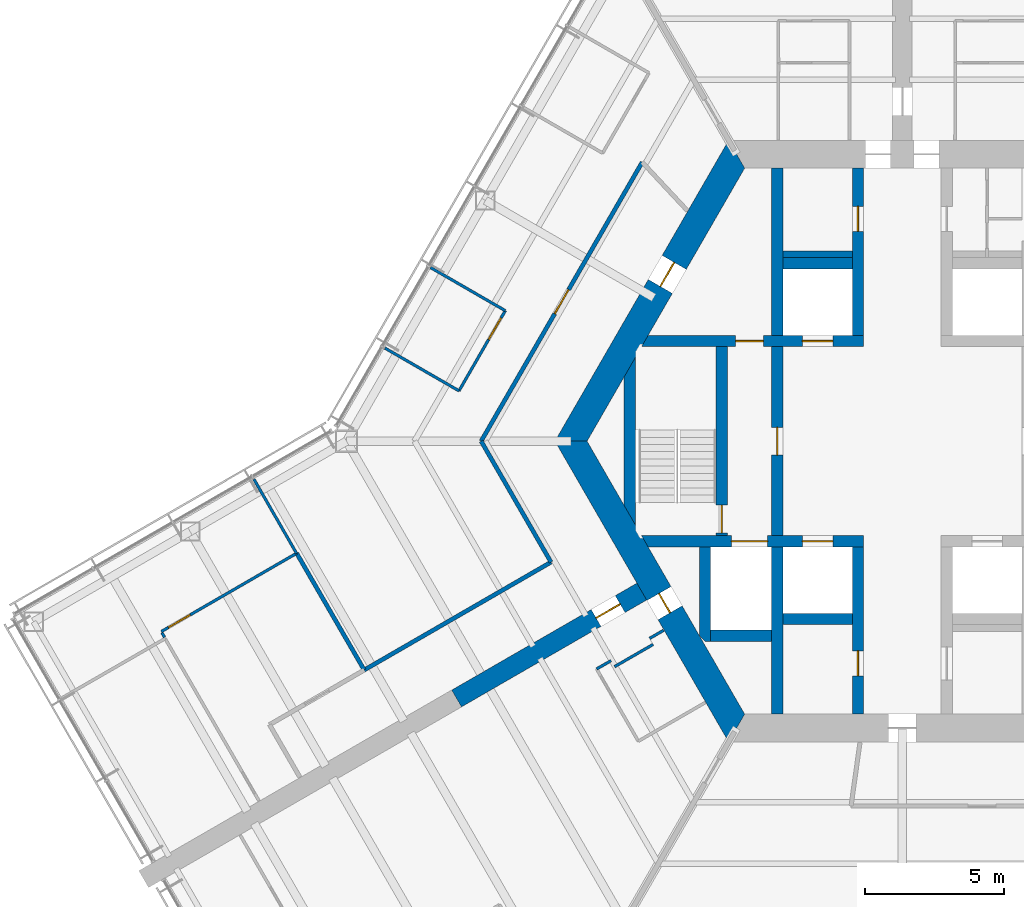
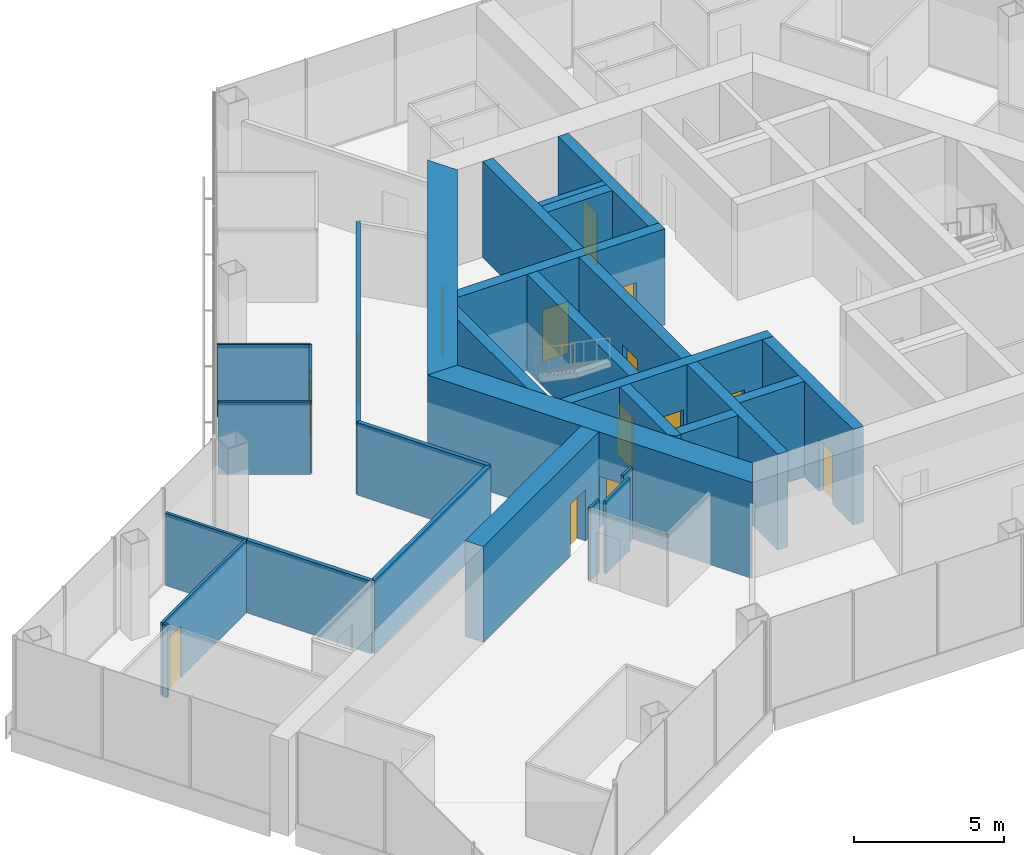
# One storey, part 12 of 18: 30 walls, 14 doors, 14 openings.
"""IFC4 building model written with IfcOpenShell, lengths in metres."""

from ifc_helpers import new_model, si_unit, direction, frame, frame_2d, origin, place, context, subcontext, project, spatial, polyline, rectangle, outline, extrude, material, layer, layer_set, type_object, element, fill, save


model = new_model("IFC4")

# Units and contexts
model_context = context("Model", 3, precision=1e-05, world=origin(), true_north=direction((0.0, 1.0)))
body_context = subcontext(model_context, "Body", "Model", "MODEL_VIEW")
ifc_project = project(units=[si_unit("LENGTHUNIT", "METRE"), si_unit("AREAUNIT", "SQUARE_METRE"), si_unit("VOLUMEUNIT", "CUBIC_METRE"), si_unit("PLANEANGLEUNIT", "RADIAN"), si_unit("MASSUNIT", "GRAM", prefix="KILO")], contexts=[model_context])

# Site, building, storey
site_placement = place(None, origin())
site = spatial("IfcSite", under=ifc_project, at=site_placement, CompositionType="ELEMENT")
building_placement = place(site_placement, origin())
building = spatial("IfcBuilding", under=site, at=building_placement, Name="Kasaneha Research Tower", CompositionType="ELEMENT")
storey_placement = place(building_placement, frame((0.0, 0.0, 144.800048828125)))
storey = spatial("IfcBuildingStorey", under=building, at=storey_placement, Name="L36", CompositionType="ELEMENT", Elevation=144.800048828125)

# Wall, openings, doors
ifc_material_1 = material(Name="Concrete Fc70", Category="concrete")
ifc_layer_1 = layer(ifc_material_1, 0.39990234375)
ifc_layer_set_1 = layer_set([ifc_layer_1], Name="Core internal wall 400 Fc70")
wall_type_1 = type_object("IfcWallType", Name="Core internal wall 400 Fc70", PredefinedType="SHEAR", material=ifc_layer_set_1)
wall_1_placement = place(storey_placement, frame((-9.266357421875, 3.60009765625, 0.0), z_axis=(0.0, 0.0, 1.0), x_axis=(1.0, 0.0, 0.0)))
wall_1 = element("IfcWall", 1, at=wall_1_placement, inside=storey, type_object=wall_type_1, Name="Core wall W1W L36", PredefinedType="SHEAR", context=body_context, shape_type="SweptSolid", body=[
    extrude(outline(polyline([(-0.115478515625, -0.199951171875), (3.266357421875, -0.199951171875), (4.266357421875, -0.199951171875), (5.66650390625, -0.199951171875), (6.7666015625, -0.199951171875), (7.866455078125, -0.199951171875), (7.866455078125, 0.199951171875), (6.7666015625, 0.199951171875), (5.66650390625, 0.199951171875), (4.266357421875, 0.199951171875), (3.266357421875, 0.199951171875), (0.115478515625, 0.199951171875), (-0.115478515625, -0.199951171875)])), origin(), (0.0, 0.0, 1.0), 3.89990234375),
])
opening_1_placement = place(wall_1_placement, frame((3.266357421875, 0.0, 0.0)))
opening_1 = element("IfcOpeningElement", 2, at=opening_1_placement, cuts=wall_1, Name="Opening L36-D12", PredefinedType="OPENING", context=body_context, shape_type="SweptSolid", body=[
    extrude(rectangle(XDim=1.0, YDim=2.10009765625, at=frame_2d((0.5, 1.050048828125))), frame((0.0, 0.2099609375, 0.0), z_axis=(0.0, -1.0, 0.0), x_axis=(1.0, 0.0, 0.0)), (0.0, 0.0, 1.0), 0.419921875),
])
opening_2_placement = place(wall_1_placement, frame((5.66650390625, 0.0, 0.0)))
opening_2 = element("IfcOpeningElement", 3, at=opening_2_placement, cuts=wall_1, Name="Opening LD-LM1-L36", PredefinedType="OPENING", context=body_context, shape_type="SweptSolid", body=[
    extrude(rectangle(XDim=1.10009765625, YDim=2.10009765625, at=frame_2d((0.550048828125, 1.050048828125))), frame((0.0, 0.2099609375, 0.0), z_axis=(0.0, -1.0, 0.0), x_axis=(1.0, 0.0, 0.0)), (0.0, 0.0, 1.0), 0.419921875),
])
ifc_material_2 = material(Name="Steel", Category="steel")
door_type_1 = type_object("IfcDoorType", Name="Lift landing door 1100x2100", OperationType="DOUBLE_DOOR_SLIDING", PredefinedType="DOOR", material=ifc_material_2)
door_1_placement = place(opening_2_placement, origin())
door_1 = element("IfcDoor", 4, at=door_1_placement, inside=storey, type_object=door_type_1, Name="Landing door LM1 LD-LM1-L36", OperationType="DOUBLE_DOOR_SLIDING", OverallHeight=2.10009765625, OverallWidth=1.10009765625, PredefinedType="DOOR", context=body_context, shape_type="SweptSolid", body=[
    extrude(rectangle(XDim=1.10009765625, YDim=2.10009765625, at=frame_2d((0.550048828125, 1.050048828125))), frame((0.0, 0.02490234375, 0.0), z_axis=(0.0, -1.0, 0.0), x_axis=(1.0, 0.0, 0.0)), (0.0, 0.0, 1.0), 0.050048828125),
])
fill(opening_2, door_1)
ifc_material_3 = material(Name="Steel", Category="steel")
door_type_2 = type_object("IfcDoorType", Name="Specified fire door FD60 1000x2100", OperationType="NOTDEFINED", PredefinedType="DOOR", material=ifc_material_3)
door_2_placement = place(opening_1_placement, origin())
door_2 = element("IfcDoor", 5, at=door_2_placement, inside=storey, type_object=door_type_2, Name="Vestibule to lobby door L36-D12", OperationType="SINGLE_SWING_LEFT", OverallHeight=2.10009765625, OverallWidth=1.0, PredefinedType="DOOR", context=body_context, shape_type="SweptSolid", body=[
    extrude(rectangle(XDim=1.0, YDim=2.10009765625, at=frame_2d((0.5, 1.050048828125))), frame((0.0, 0.02490234375, 0.0), z_axis=(0.0, -1.0, 0.0), x_axis=(1.0, 0.0, 0.0)), (0.0, 0.0, 1.0), 0.050048828125),
])
fill(opening_1, door_2)

wall_2_placement = place(storey_placement, frame((-9.266357421875, -3.60009765625, 0.0), z_axis=(0.0, 0.0, 1.0), x_axis=(1.0, 0.0, 0.0)))
wall_2 = element("IfcWall", 6, at=wall_2_placement, inside=storey, type_object=wall_type_1, Name="Core wall W2W L36", PredefinedType="SHEAR", context=body_context, shape_type="SweptSolid", body=[
    extrude(outline(polyline([(0.115478515625, -0.199951171875), (3.116455078125, -0.199951171875), (4.41650390625, -0.199951171875), (5.66650390625, -0.199951171875), (6.7666015625, -0.199951171875), (7.866455078125, -0.199951171875), (7.866455078125, 0.199951171875), (6.7666015625, 0.199951171875), (5.66650390625, 0.199951171875), (4.41650390625, 0.199951171875), (3.116455078125, 0.199951171875), (-0.115478515625, 0.199951171875), (0.115478515625, -0.199951171875)])), origin(), (0.0, 0.0, 1.0), 3.89990234375),
])
opening_3_placement = place(wall_2_placement, frame((5.66650390625, 0.0, 0.0)))
opening_3 = element("IfcOpeningElement", 7, at=opening_3_placement, cuts=wall_2, Name="Opening LD-LM3-L36", PredefinedType="OPENING", context=body_context, shape_type="SweptSolid", body=[
    extrude(rectangle(XDim=1.10009765625, YDim=2.10009765625, at=frame_2d((0.550048828125, 1.050048828125))), frame((0.0, 0.2099609375, 0.0), z_axis=(0.0, -1.0, 0.0), x_axis=(1.0, 0.0, 0.0)), (0.0, 0.0, 1.0), 0.419921875),
])
opening_4_placement = place(wall_2_placement, frame((3.116455078125, 0.0, 0.0)))
opening_4 = element("IfcOpeningElement", 8, at=opening_4_placement, cuts=wall_2, Name="Opening LD-FL2-L36", PredefinedType="OPENING", context=body_context, shape_type="SweptSolid", body=[
    extrude(rectangle(XDim=1.300048828125, YDim=2.10009765625, at=frame_2d((0.64990234375, 1.050048828125))), frame((0.0, 0.2099609375, 0.0), z_axis=(0.0, -1.0, 0.0), x_axis=(1.0, 0.0, 0.0)), (0.0, 0.0, 1.0), 0.419921875),
])
door_3_placement = place(opening_3_placement, origin())
door_3 = element("IfcDoor", 9, at=door_3_placement, inside=storey, type_object=door_type_1, Name="Landing door LM3 LD-LM3-L36", OperationType="DOUBLE_DOOR_SLIDING", OverallHeight=2.10009765625, OverallWidth=1.10009765625, PredefinedType="DOOR", context=body_context, shape_type="SweptSolid", body=[
    extrude(rectangle(XDim=1.10009765625, YDim=2.10009765625, at=frame_2d((0.550048828125, 1.050048828125))), frame((0.0, 0.02490234375, 0.0), z_axis=(0.0, -1.0, 0.0), x_axis=(1.0, 0.0, 0.0)), (0.0, 0.0, 1.0), 0.050048828125),
])
fill(opening_3, door_3)
ifc_material_4 = material(Name="Steel", Category="steel")
door_type_3 = type_object("IfcDoorType", Name="Lift landing door 1300x2100", OperationType="DOUBLE_DOOR_SLIDING", PredefinedType="DOOR", material=ifc_material_4)
door_4_placement = place(opening_4_placement, origin())
door_4 = element("IfcDoor", 10, at=door_4_placement, inside=storey, type_object=door_type_3, Name="Landing door FL2 LD-FL2-L36", OperationType="DOUBLE_DOOR_SLIDING", OverallHeight=2.10009765625, OverallWidth=1.300048828125, PredefinedType="DOOR", context=body_context, shape_type="SweptSolid", body=[
    extrude(rectangle(XDim=1.300048828125, YDim=2.10009765625, at=frame_2d((0.64990234375, 1.050048828125))), frame((0.0, 0.02490234375, 0.0), z_axis=(0.0, -1.0, 0.0), x_axis=(1.0, 0.0, 0.0)), (0.0, 0.0, 1.0), 0.050048828125),
])
fill(opening_4, door_4)

# Wall, opening, door
wall_3_placement = place(storey_placement, frame((-1.60009765625, 3.800048828125, 0.0), z_axis=(0.0, 0.0, 1.0), x_axis=(0.0, 1.0, 0.0)))
wall_3 = element("IfcWall", 11, at=wall_3_placement, inside=storey, type_object=wall_type_1, Name="Core wall CNW L36", PredefinedType="SHEAR", context=body_context, shape_type="SweptSolid", body=[
    extrude(rectangle(XDim=6.02490234375, YDim=0.39990234375, at=frame_2d((3.012451171875, 0.0))), origin(), (0.0, 0.0, 1.0), 3.89990234375),
])
opening_5_placement = place(wall_3_placement, frame((3.75, 0.0, 0.0)))
opening_5 = element("IfcOpeningElement", 12, at=opening_5_placement, cuts=wall_3, Name="Opening L36-D13", PredefinedType="OPENING", context=body_context, shape_type="SweptSolid", body=[
    extrude(rectangle(XDim=0.89990234375, YDim=2.10009765625, at=frame_2d((0.449951171875, 1.050048828125))), frame((0.0, 0.2099609375, 0.0), z_axis=(0.0, -1.0, 0.0), x_axis=(1.0, 0.0, 0.0)), (0.0, 0.0, 1.0), 0.419921875),
])
ifc_material_5 = material(Name="Steel", Category="steel")
door_type_4 = type_object("IfcDoorType", Name="Toilet door FD20 900x2100", OperationType="NOTDEFINED", PredefinedType="DOOR", material=ifc_material_5)
door_5_placement = place(opening_5_placement, origin())
door_5 = element("IfcDoor", 13, at=door_5_placement, inside=storey, type_object=door_type_4, Name="Men's WC door L36-D13", OperationType="SINGLE_SWING_LEFT", OverallHeight=2.10009765625, OverallWidth=0.89990234375, PredefinedType="DOOR", context=body_context, shape_type="SweptSolid", body=[
    extrude(rectangle(XDim=0.89990234375, YDim=2.10009765625, at=frame_2d((0.449951171875, 1.050048828125))), frame((0.0, 0.02490234375, 0.0), z_axis=(0.0, -1.0, 0.0), x_axis=(1.0, 0.0, 0.0)), (0.0, 0.0, 1.0), 0.050048828125),
])
fill(opening_5, door_5)

wall_4_placement = place(storey_placement, frame((-1.60009765625, -3.800048828125, 0.0), z_axis=(0.0, 0.0, 1.0), x_axis=(0.0, -1.0, 0.0)))
wall_4 = element("IfcWall", 14, at=wall_4_placement, inside=storey, type_object=wall_type_1, Name="Core wall CSW L36", PredefinedType="SHEAR", context=body_context, shape_type="SweptSolid", body=[
    extrude(rectangle(XDim=6.02490234375, YDim=0.39990234375, at=frame_2d((3.012451171875, 0.0))), origin(), (0.0, 0.0, 1.0), 3.89990234375),
])
opening_6_placement = place(wall_4_placement, frame((3.75, 0.0, 0.0)))
opening_6 = element("IfcOpeningElement", 15, at=opening_6_placement, cuts=wall_4, Name="Opening L36-D16", PredefinedType="OPENING", context=body_context, shape_type="SweptSolid", body=[
    extrude(rectangle(XDim=0.89990234375, YDim=2.10009765625, at=frame_2d((0.449951171875, 1.050048828125))), frame((0.0, 0.2099609375, 0.0), z_axis=(0.0, -1.0, 0.0), x_axis=(1.0, 0.0, 0.0)), (0.0, 0.0, 1.0), 0.419921875),
])
ifc_material_6 = material(Name="Steel", Category="steel")
door_type_5 = type_object("IfcDoorType", Name="Riser access door FD60 900x2100", OperationType="NOTDEFINED", PredefinedType="DOOR", material=ifc_material_6)
door_6_placement = place(opening_6_placement, origin())
door_6 = element("IfcDoor", 16, at=door_6_placement, inside=storey, type_object=door_type_5, Name="Electrical riser door L36-D16", OperationType="SINGLE_SWING_LEFT", OverallHeight=2.10009765625, OverallWidth=0.89990234375, PredefinedType="DOOR", context=body_context, shape_type="SweptSolid", body=[
    extrude(rectangle(XDim=0.89990234375, YDim=2.10009765625, at=frame_2d((0.449951171875, 1.050048828125))), frame((0.0, 0.02490234375, 0.0), z_axis=(0.0, -1.0, 0.0), x_axis=(1.0, 0.0, 0.0)), (0.0, 0.0, 1.0), 0.050048828125),
])
fill(opening_6, door_6)

wall_5_placement = place(storey_placement, frame((-4.5, -3.39990234375, 0.0), z_axis=(0.0, 0.0, 1.0), x_axis=(0.0, 1.0, 0.0)))
wall_5 = element("IfcWall", 17, at=wall_5_placement, inside=storey, type_object=wall_type_1, Name="Core wall LBW L36", PredefinedType="SHEAR", context=body_context, shape_type="SweptSolid", body=[
    extrude(rectangle(XDim=6.7998046875, YDim=0.39990234375, at=frame_2d((3.39990234375, 0.0))), origin(), (0.0, 0.0, 1.0), 3.89990234375),
])
opening_7_placement = place(wall_5_placement, frame((2.89990234375, 0.0, 0.0)))
opening_7 = element("IfcOpeningElement", 18, at=opening_7_placement, cuts=wall_5, Name="Opening L36-D09", PredefinedType="OPENING", context=body_context, shape_type="SweptSolid", body=[
    extrude(rectangle(XDim=1.0, YDim=2.10009765625, at=frame_2d((0.5, 1.050048828125))), frame((0.0, 0.2099609375, 0.0), z_axis=(0.0, -1.0, 0.0), x_axis=(1.0, 0.0, 0.0)), (0.0, 0.0, 1.0), 0.419921875),
])
door_7_placement = place(opening_7_placement, origin())
door_7 = element("IfcDoor", 19, at=door_7_placement, inside=storey, type_object=door_type_2, Name="Lift lobby door west L36-D09", OperationType="SINGLE_SWING_LEFT", OverallHeight=2.10009765625, OverallWidth=1.0, PredefinedType="DOOR", context=body_context, shape_type="SweptSolid", body=[
    extrude(rectangle(XDim=1.0, YDim=2.10009765625, at=frame_2d((0.5, 1.050048828125))), frame((0.0, 0.02490234375, 0.0), z_axis=(0.0, -1.0, 0.0), x_axis=(1.0, 0.0, 0.0)), (0.0, 0.0, 1.0), 0.050048828125),
])
fill(opening_7, door_7)

wall_6_placement = place(storey_placement, frame((-6.5, -3.39990234375, 0.0), z_axis=(0.0, 0.0, 1.0), x_axis=(0.0, 1.0, 0.0)))
wall_6 = element("IfcWall", 20, at=wall_6_placement, inside=storey, type_object=wall_type_1, Name="Core wall ANW L36", PredefinedType="SHEAR", context=body_context, shape_type="SweptSolid", body=[
    extrude(rectangle(XDim=6.7998046875, YDim=0.39990234375, at=frame_2d((3.39990234375, 0.0))), origin(), (0.0, 0.0, 1.0), 3.89990234375),
])
opening_8_placement = place(wall_6_placement, frame((0.10009765625, 0.0, 0.0)))
opening_8 = element("IfcOpeningElement", 21, at=opening_8_placement, cuts=wall_6, Name="Opening L36-D11", PredefinedType="OPENING", context=body_context, shape_type="SweptSolid", body=[
    extrude(rectangle(XDim=1.0, YDim=2.10009765625, at=frame_2d((0.5, 1.050048828125))), frame((0.0, 0.2099609375, 0.0), z_axis=(0.0, -1.0, 0.0), x_axis=(1.0, 0.0, 0.0)), (0.0, 0.0, 1.0), 0.419921875),
])
door_8_placement = place(opening_8_placement, origin())
door_8 = element("IfcDoor", 22, at=door_8_placement, inside=storey, type_object=door_type_2, Name="Stair 2 door L36-D11", OperationType="SINGLE_SWING_LEFT", OverallHeight=2.10009765625, OverallWidth=1.0, PredefinedType="DOOR", context=body_context, shape_type="SweptSolid", body=[
    extrude(rectangle(XDim=1.0, YDim=2.10009765625, at=frame_2d((0.5, 1.050048828125))), frame((0.0, 0.02490234375, 0.0), z_axis=(0.0, -1.0, 0.0), x_axis=(1.0, 0.0, 0.0)), (0.0, 0.0, 1.0), 0.050048828125),
])
fill(opening_8, door_8)

# Walls
for number, where, z_axis, x_axis, name in (
    (23, (-4.5, 3.800048828125, 0.0), (0.0, 0.0, 1.0), (0.0, 1.0, 0.0), "Core wall VNW L36"),
    (24, (-4.5, -3.800048828125, 0.0), (0.0, 0.0, 1.0), (0.0, -1.0, 0.0), "Core wall SSW L36"),
):
    element("IfcWall", number, at=place(storey_placement, frame(where, z_axis=z_axis, x_axis=x_axis)), inside=storey, type_object=wall_type_1, Name=name, PredefinedType="SHEAR", context=body_context, shape_type="SweptSolid", body=[
        extrude(rectangle(XDim=6.02490234375, YDim=0.39990234375, at=frame_2d((3.012451171875, 0.0))), origin(), (0.0, 0.0, 1.0), 3.89990234375),
    ])
for number, where, z_axis, x_axis, name in (
    (25, (-4.300048828125, 6.39990234375, 0.0), (0.0, 0.0, 1.0), (1.0, 0.0, 0.0), "Core wall N1N L36"),
    (26, (-4.300048828125, -6.39990234375, 0.0), (0.0, 0.0, 1.0), (1.0, 0.0, 0.0), "Core wall S1S L36"),
):
    element("IfcWall", number, at=place(storey_placement, frame(where, z_axis=z_axis, x_axis=x_axis)), inside=storey, type_object=wall_type_1, Name=name, PredefinedType="SHEAR", context=body_context, shape_type="SweptSolid", body=[
        extrude(rectangle(XDim=2.5, YDim=0.39990234375, at=frame_2d((1.25, 0.0))), origin(), (0.0, 0.0, 1.0), 3.89990234375),
    ])
wall_7_placement = place(storey_placement, frame((-6.89990234375, -7.0, 0.0), z_axis=(0.0, 0.0, 1.0), x_axis=(1.0, 0.0, 0.0)))
element("IfcWall", 27, at=wall_7_placement, inside=storey, type_object=wall_type_1, Name="Core wall F2S L36", PredefinedType="SHEAR", context=body_context, shape_type="SweptSolid", body=[
    extrude(rectangle(XDim=2.199951171875, YDim=0.39990234375, at=frame_2d((1.10009765625, 0.0))), origin(), (0.0, 0.0, 1.0), 3.89990234375),
])
wall_8_placement = place(storey_placement, frame((-7.10009765625, -3.800048828125, 0.0), z_axis=(0.0, 0.0, 1.0), x_axis=(0.0, -1.0, 0.0)))
element("IfcWall", 28, at=wall_8_placement, inside=storey, type_object=wall_type_1, Name="Core wall F2W L36", PredefinedType="SHEAR", context=body_context, shape_type="SweptSolid", body=[
    extrude(outline(polyline([(0.0, -0.199951171875), (3.205810546875, -0.199951171875), (3.39990234375, 0.0), (3.39990234375, 0.199951171875), (0.0, 0.199951171875), (0.0, -0.199951171875)])), origin(), (0.0, 0.0, 1.0), 3.89990234375),
])
wall_9_placement = place(storey_placement, frame((-9.807861328125, -2.662353515625, 0.0), z_axis=(0.0, 0.0, 1.0), x_axis=(0.0, 1.0, 0.0)))
element("IfcWall", 29, at=wall_9_placement, inside=storey, type_object=wall_type_1, Name="Core wall STW L36", PredefinedType="SHEAR", context=body_context, shape_type="SweptSolid", body=[
    extrude(outline(polyline([(-0.346435546875, -0.199951171875), (5.671142578125, -0.199951171875), (4.978271484375, 0.199951171875), (0.346435546875, 0.199951171875), (-0.346435546875, -0.199951171875)])), origin(), (0.0, 0.0, 1.0), 3.89990234375),
])

# Wall, opening, door
ifc_material_7 = material(Name="Concrete Fc70", Category="concrete")
ifc_layer_2 = layer(ifc_material_7, 1.0)
ifc_layer_set_2 = layer_set([ifc_layer_2], Name="Core wall 1000 Fc70")
wall_type_2 = type_object("IfcWallType", Name="Core wall 1000 Fc70", PredefinedType="SHEAR", material=ifc_layer_set_2)
wall_10_placement = place(storey_placement, frame((-5.961181640625, 10.324951171875, 0.0), z_axis=(0.0, 0.0, 1.0), x_axis=(-0.500004296715, -0.866022923061, 0.0)))
wall_10 = element("IfcWall", 30, at=wall_10_placement, inside=storey, type_object=wall_type_2, Name="Core wall 150 L36", PredefinedType="SHEAR", context=body_context, shape_type="SweptSolid", body=[
    extrude(outline(polyline([(-0.28857421875, -0.5), (4.494140625, -0.5), (5.494140625, -0.5), (12.2109375, -0.5), (11.6337890625, 0.5), (5.494140625, 0.5), (4.494140625, 0.5), (0.28857421875, 0.5), (-0.28857421875, -0.5)])), origin(), (0.0, 0.0, 1.0), 3.89990234375),
])
opening_9_placement = place(wall_10_placement, frame((4.494140625, 0.0, 0.0)))
opening_9 = element("IfcOpeningElement", 31, at=opening_9_placement, cuts=wall_10, Name="Opening L36-D07", PredefinedType="OPENING", context=body_context, shape_type="SweptSolid", body=[
    extrude(rectangle(XDim=1.0, YDim=2.10009765625, at=frame_2d((0.5, 1.050048828125))), frame((0.0, 0.510009765625, 0.0), z_axis=(0.0, -1.0, 0.0), x_axis=(1.0, 0.0, 0.0)), (0.0, 0.0, 1.0), 1.02001953125),
])
ifc_material_8 = material(Name="Steel", Category="steel")
door_type_6 = type_object("IfcDoorType", Name="Fire door FD20 1000x2100", OperationType="NOTDEFINED", PredefinedType="DOOR", material=ifc_material_8)
door_9_placement = place(opening_9_placement, origin())
door_9 = element("IfcDoor", 32, at=door_9_placement, inside=storey, type_object=door_type_6, Name="Vestibule door L36-D07", OperationType="SINGLE_SWING_LEFT", OverallHeight=2.10009765625, OverallWidth=1.0, PredefinedType="DOOR", context=body_context, shape_type="SweptSolid", body=[
    extrude(rectangle(XDim=1.0, YDim=2.10009765625, at=frame_2d((0.5, 1.050048828125))), frame((0.0, 0.02490234375, 0.0), z_axis=(0.0, -1.0, 0.0), x_axis=(1.0, 0.0, 0.0)), (0.0, 0.0, 1.0), 0.050048828125),
])
fill(opening_9, door_9)

wall_11_placement = place(storey_placement, frame((-11.92236328125, 0.0, 0.0), z_axis=(0.0, 0.0, 1.0), x_axis=(0.500004296715, -0.866022923061, 0.0)))
wall_11 = element("IfcWall", 33, at=wall_11_placement, inside=storey, type_object=wall_type_2, Name="Core wall 210 L36", PredefinedType="SHEAR", context=body_context, shape_type="SweptSolid", body=[
    extrude(outline(polyline([(-0.28857421875, -0.5), (6.3310546875, -0.5), (7.131103515625, -0.5), (12.2109375, -0.5), (11.6337890625, 0.5), (7.131103515625, 0.5), (6.3310546875, 0.5), (0.28857421875, 0.5), (-0.28857421875, -0.5)])), origin(), (0.0, 0.0, 1.0), 3.89990234375),
])
opening_10_placement = place(wall_11_placement, frame((6.3310546875, 0.0, 0.0)))
opening_10 = element("IfcOpeningElement", 34, at=opening_10_placement, cuts=wall_11, Name="Opening L36-D06", PredefinedType="OPENING", context=body_context, shape_type="SweptSolid", body=[
    extrude(rectangle(XDim=0.800048828125, YDim=2.10009765625, at=frame_2d((0.39990234375, 1.050048828125))), frame((0.0, 0.510009765625, 0.0), z_axis=(0.0, -1.0, 0.0), x_axis=(1.0, 0.0, 0.0)), (0.0, 0.0, 1.0), 1.02001953125),
])
ifc_material_9 = material(Name="Steel", Category="steel")
door_type_7 = type_object("IfcDoorType", Name="Riser access door FD60 800x2100", OperationType="NOTDEFINED", PredefinedType="DOOR", material=ifc_material_9)
door_10_placement = place(opening_10_placement, origin())
door_10 = element("IfcDoor", 35, at=door_10_placement, inside=storey, type_object=door_type_7, Name="Duct riser door L36-D06", OperationType="SINGLE_SWING_RIGHT", OverallHeight=2.10009765625, OverallWidth=0.800048828125, PredefinedType="DOOR", context=body_context, shape_type="SweptSolid", body=[
    extrude(rectangle(XDim=0.800048828125, YDim=2.10009765625, at=frame_2d((0.39990234375, 1.050048828125))), frame((0.0, 0.02490234375, 0.0), z_axis=(0.0, -1.0, 0.0), x_axis=(1.0, 0.0, 0.0)), (0.0, 0.0, 1.0), 0.050048828125),
])
fill(opening_10, door_10)

# Walls
ifc_material_10 = material(Name="Gypsum board on steel studs, one layer each side", Category="steel")
ifc_layer_3 = layer(ifc_material_10, 0.10009765625)
ifc_layer_set_3 = layer_set([ifc_layer_3], Name="Office partition 100")
wall_type_3 = type_object("IfcWallType", Name="Office partition 100", PredefinedType="PARTITIONING", material=ifc_layer_set_3)
wall_12_placement = place(storey_placement, frame((-16.97607421875, 6.247802734375, 0.0), z_axis=(0.0, 0.0, 1.0), x_axis=(0.866023220135, -0.500003782172, 0.0)))
element("IfcWall", 36, at=wall_12_placement, inside=storey, type_object=wall_type_3, Name="Office partition FBN12 L36", PredefinedType="PARTITIONING", context=body_context, shape_type="SweptSolid", body=[
    extrude(rectangle(XDim=3.10498046875, YDim=0.10009765625, at=frame_2d((1.552490234375, 0.0))), origin(), (0.0, 0.0, 1.0), 2.949951171875),
])
wall_13_placement = place(storey_placement, frame((-15.952392578125, 1.810546875, 0.0), z_axis=(0.0, 0.0, 1.0), x_axis=(-0.866029832698, 0.499992328818, 0.0)))
element("IfcWall", 37, at=wall_13_placement, inside=storey, type_object=wall_type_3, Name="Office partition FBN13 L36", PredefinedType="PARTITIONING", context=body_context, shape_type="SweptSolid", body=[
    extrude(rectangle(XDim=3.080078125, YDim=0.10009765625, at=frame_2d((1.5400390625, 0.0))), origin(), (0.0, 0.0, 1.0), 2.949951171875),
])

# Wall, opening, door
wall_14_placement = place(storey_placement, frame((-14.287109375, 4.6953125, 0.0), z_axis=(0.0, 0.0, 1.0), x_axis=(-0.499946633866, -0.866056212544, 0.0)))
wall_14 = element("IfcWall", 38, at=wall_14_placement, inside=storey, type_object=wall_type_3, Name="Office partition FBN14 L36", PredefinedType="PARTITIONING", context=body_context, shape_type="SweptSolid", body=[
    extrude(rectangle(XDim=3.330810546875, YDim=0.10009765625, at=frame_2d((1.66552734375, 0.0))), origin(), (0.0, 0.0, 1.0), 2.949951171875),
])
opening_11_placement = place(wall_14_placement, frame((0.300048828125, 0.0, 0.0)))
opening_11 = element("IfcOpeningElement", 39, at=opening_11_placement, cuts=wall_14, Name="Opening L36-D38", PredefinedType="OPENING", context=body_context, shape_type="SweptSolid", body=[
    extrude(rectangle(XDim=0.89990234375, YDim=2.10009765625, at=frame_2d((0.449951171875, 1.050048828125))), frame((0.0, 0.06005859375, 0.0), z_axis=(0.0, -1.0, 0.0), x_axis=(1.0, 0.0, 0.0)), (0.0, 0.0, 1.0), 0.1201171875),
])
ifc_material_11 = material(Name="Timber veneer", Category="wood")
door_type_8 = type_object("IfcDoorType", Name="Office door 900x2100", OperationType="SINGLE_SWING_LEFT", PredefinedType="DOOR", material=ifc_material_11)
door_11_placement = place(opening_11_placement, origin())
door_11 = element("IfcDoor", 40, at=door_11_placement, inside=storey, type_object=door_type_8, Name="Workroom door L36-D38", OperationType="SINGLE_SWING_LEFT", OverallHeight=2.10009765625, OverallWidth=0.89990234375, PredefinedType="DOOR", context=body_context, shape_type="SweptSolid", body=[
    extrude(rectangle(XDim=0.89990234375, YDim=2.10009765625, at=frame_2d((0.449951171875, 1.050048828125))), frame((0.0, 0.02490234375, 0.0), z_axis=(0.0, -1.0, 0.0), x_axis=(1.0, 0.0, 0.0)), (0.0, 0.0, 1.0), 0.050048828125),
])
fill(opening_11, door_11)

# Wall
wall_15_placement = place(storey_placement, frame((-23.332275390625, -1.36962890625, 0.0), z_axis=(0.0, 0.0, 1.0), x_axis=(0.498722739085, -0.866761575937, 0.0)))
element("IfcWall", 41, at=wall_15_placement, inside=storey, type_object=wall_type_3, Name="Office partition FBN15 L36", PredefinedType="PARTITIONING", context=body_context, shape_type="SweptSolid", body=[
    extrude(rectangle(XDim=3.08056640625, YDim=0.10009765625, at=frame_2d((1.540283203125, 0.0))), origin(), (0.0, 0.0, 1.0), 2.949951171875),
])

# Wall, opening, door
wall_16_placement = place(storey_placement, frame((-21.793701171875, -4.033203125, 0.0), z_axis=(0.0, 0.0, 1.0), x_axis=(-0.865577688484, -0.500774665092, 0.0)))
wall_16 = element("IfcWall", 42, at=wall_16_placement, inside=storey, type_object=wall_type_3, Name="Office partition FBN16 L36", PredefinedType="PARTITIONING", context=body_context, shape_type="SweptSolid", body=[
    extrude(rectangle(XDim=5.62890625, YDim=0.10009765625, at=frame_2d((2.814453125, 0.0))), origin(), (0.0, 0.0, 1.0), 2.949951171875),
])
opening_12_placement = place(wall_16_placement, frame((4.428955078125, 0.0, 0.0)))
opening_12 = element("IfcOpeningElement", 43, at=opening_12_placement, cuts=wall_16, Name="Opening L36-D39", PredefinedType="OPENING", context=body_context, shape_type="SweptSolid", body=[
    extrude(rectangle(XDim=0.89990234375, YDim=2.10009765625, at=frame_2d((0.449951171875, 1.050048828125))), frame((0.0, 0.06005859375, 0.0), z_axis=(0.0, -1.0, 0.0), x_axis=(1.0, 0.0, 0.0)), (0.0, 0.0, 1.0), 0.1201171875),
])
door_12_placement = place(opening_12_placement, origin())
door_12 = element("IfcDoor", 44, at=door_12_placement, inside=storey, type_object=door_type_8, Name="Project room door L36-D39", OperationType="SINGLE_SWING_RIGHT", OverallHeight=2.10009765625, OverallWidth=0.89990234375, PredefinedType="DOOR", context=body_context, shape_type="SweptSolid", body=[
    extrude(rectangle(XDim=0.89990234375, YDim=2.10009765625, at=frame_2d((0.449951171875, 1.050048828125))), frame((0.0, 0.02490234375, 0.0), z_axis=(0.0, -1.0, 0.0), x_axis=(1.0, 0.0, 0.0)), (0.0, 0.0, 1.0), 0.050048828125),
])
fill(opening_12, door_12)

# Walls
wall_17_placement = place(storey_placement, frame((-10.99951171875, -8.197998046875, 0.0), z_axis=(0.0, 0.0, 1.0), x_axis=(0.866131372301, 0.499816412211, 0.0)))
element("IfcWall", 45, at=wall_17_placement, inside=storey, type_object=wall_type_3, Name="Office partition FBS01 L36", PredefinedType="PARTITIONING", context=body_context, shape_type="SweptSolid", body=[
    extrude(rectangle(XDim=0.599853515625, YDim=0.10009765625, at=frame_2d((0.2998046875, 0.0))), origin(), (0.0, 0.0, 1.0), 2.949951171875),
])
wall_18_placement = place(storey_placement, frame((-10.35498046875, -8.114501953125, 0.0), z_axis=(0.0, 0.0, 1.0), x_axis=(0.866094119867, 0.499880961361, 0.0)))
element("IfcWall", 46, at=wall_18_placement, inside=storey, type_object=wall_type_3, Name="Office partition FBS02 L36", PredefinedType="PARTITIONING", context=body_context, shape_type="SweptSolid", body=[
    extrude(rectangle(XDim=1.60009765625, YDim=0.10009765625, at=frame_2d((0.800048828125, 0.0))), origin(), (0.0, 0.0, 1.0), 2.949951171875),
])
wall_19_placement = place(storey_placement, frame((-9.09423828125, -7.09814453125, 0.0), z_axis=(0.0, 0.0, 1.0), x_axis=(0.865954211699, 0.50012328804, 0.0)))
element("IfcWall", 47, at=wall_19_placement, inside=storey, type_object=wall_type_3, Name="Office partition FBS04 L36", PredefinedType="PARTITIONING", context=body_context, shape_type="SweptSolid", body=[
    extrude(rectangle(XDim=0.579833984375, YDim=0.10009765625, at=frame_2d((0.2900390625, 0.0))), origin(), (0.0, 0.0, 1.0), 2.949951171875),
])
wall_20_placement = place(storey_placement, frame((-26.641357421875, -6.8955078125, 0.0), z_axis=(0.0, 0.0, 1.0), x_axis=(0.497958060315, -0.867201112872, 0.0)))
element("IfcWall", 48, at=wall_20_placement, inside=storey, type_object=wall_type_3, Name="Office partition closer PT5 L36", PredefinedType="PARTITIONING", context=body_context, shape_type="SweptSolid", body=[
    extrude(rectangle(XDim=0.187744140625, YDim=0.10009765625, at=frame_2d((0.09375, 0.0))), origin(), (0.0, 0.0, 1.0), 2.949951171875),
])

# Wall, opening, door
ifc_material_12 = material(Name="Concrete Fc70", Category="concrete")
ifc_layer_4 = layer(ifc_material_12, 0.699951171875)
ifc_layer_set_4 = layer_set([ifc_layer_4], Name="Spine wall 700 Fc70")
wall_type_4 = type_object("IfcWallType", Name="Spine wall 700 Fc70", PredefinedType="SHEAR", material=ifc_layer_set_4)
wall_21_placement = place(storey_placement, frame((-9.374755859375, -5.41259765625, 0.0), z_axis=(0.0, 0.0, 1.0), x_axis=(-0.866032377459, -0.499987921047, 0.0)))
wall_21 = element("IfcWall", 49, at=wall_21_placement, inside=storey, type_object=wall_type_4, Name="Spine wall B L36", PredefinedType="SHEAR", context=body_context, shape_type="SweptSolid", body=[
    extrude(rectangle(XDim=7.695556640625, YDim=0.699951171875, at=frame_2d((3.84765625, 0.0))), origin(), (0.0, 0.0, 1.0), 3.89990234375),
])
opening_13_placement = place(wall_21_placement, frame((0.89990234375, 0.0, 0.0)))
opening_13 = element("IfcOpeningElement", 50, at=opening_13_placement, cuts=wall_21, Name="Opening L36-D18", PredefinedType="OPENING", context=body_context, shape_type="SweptSolid", body=[
    extrude(rectangle(XDim=1.0, YDim=2.10009765625, at=frame_2d((0.5, 1.050048828125))), frame((0.0, 0.35986328125, 0.0), z_axis=(0.0, -1.0, 0.0), x_axis=(1.0, 0.0, 0.0)), (0.0, 0.0, 1.0), 0.719970703125),
])
door_13_placement = place(opening_13_placement, origin())
door_13 = element("IfcDoor", 51, at=door_13_placement, inside=storey, type_object=door_type_2, Name="Spine doorway B L36-D18", OperationType="SINGLE_SWING_LEFT", OverallHeight=2.10009765625, OverallWidth=1.0, PredefinedType="DOOR", context=body_context, shape_type="SweptSolid", body=[
    extrude(rectangle(XDim=1.0, YDim=2.10009765625, at=frame_2d((0.5, 1.050048828125))), frame((0.0, 0.02490234375, 0.0), z_axis=(0.0, -1.0, 0.0), x_axis=(1.0, 0.0, 0.0)), (0.0, 0.0, 1.0), 0.050048828125),
])
fill(opening_13, door_13)

# Wall
ifc_material_13 = material(Name="Gypsum board on steel studs, two layers each side", Category="steel")
ifc_layer_5 = layer(ifc_material_13, 0.14990234375)
ifc_layer_set_5 = layer_set([ifc_layer_5], Name="Suite partition 150")
wall_type_5 = type_object("IfcWallType", Name="Suite partition 150", PredefinedType="PARTITIONING", material=ifc_layer_set_5)
wall_22_placement = place(storey_placement, frame((-19.37158203125, -8.23974609375, 0.0), z_axis=(0.0, 0.0, 1.0), x_axis=(0.866015031168, 0.500017965468, 0.0)))
element("IfcWall", 52, at=wall_22_placement, inside=storey, type_object=wall_type_5, Name="Suite partition FBN01 L36", PredefinedType="PARTITIONING", context=body_context, shape_type="SweptSolid", body=[
    extrude(rectangle(XDim=7.771240234375, YDim=0.14990234375, at=frame_2d((3.8857421875, 0.0))), origin(), (0.0, 0.0, 1.0), 2.949951171875),
])

# Wall, opening, door
wall_23_placement = place(storey_placement, frame((-15.155517578125, 0.0, 0.0), z_axis=(0.0, 0.0, 1.0), x_axis=(0.500012970505, 0.86601791513, 0.0)))
wall_23 = element("IfcWall", 53, at=wall_23_placement, inside=storey, type_object=wall_type_5, Name="Suite partition FBN02 L36", PredefinedType="PARTITIONING", context=body_context, shape_type="SweptSolid", body=[
    extrude(rectangle(XDim=11.590576171875, YDim=0.14990234375, at=frame_2d((5.79541015625, 0.0))), origin(), (0.0, 0.0, 1.0), 2.949951171875),
])
opening_14_placement = place(wall_23_placement, frame((5.295166015625, 0.0, 0.0)))
opening_14 = element("IfcOpeningElement", 54, at=opening_14_placement, cuts=wall_23, Name="Opening L36-D34", PredefinedType="OPENING", context=body_context, shape_type="SweptSolid", body=[
    extrude(rectangle(XDim=1.0, YDim=2.10009765625, at=frame_2d((0.5, 1.050048828125))), frame((0.0, 0.0849609375, 0.0), z_axis=(0.0, -1.0, 0.0), x_axis=(1.0, 0.0, 0.0)), (0.0, 0.0, 1.0), 0.169921875),
])
ifc_material_14 = material(Name="Steel", Category="steel")
door_type_9 = type_object("IfcDoorType", Name="Suite entrance door FD60 1000x2100", OperationType="NOTDEFINED", PredefinedType="DOOR", material=ifc_material_14)
door_14_placement = place(opening_14_placement, origin())
door_14 = element("IfcDoor", 55, at=door_14_placement, inside=storey, type_object=door_type_9, Name="Suite entrance door L36-D34", OperationType="SINGLE_SWING_RIGHT", OverallHeight=2.10009765625, OverallWidth=1.0, PredefinedType="DOOR", context=body_context, shape_type="SweptSolid", body=[
    extrude(rectangle(XDim=1.0, YDim=2.10009765625, at=frame_2d((0.5, 1.050048828125))), frame((0.0, 0.02490234375, 0.0), z_axis=(0.0, -1.0, 0.0), x_axis=(1.0, 0.0, 0.0)), (0.0, 0.0, 1.0), 0.050048828125),
])
fill(opening_14, door_14)

# Walls
wall_24_placement = place(storey_placement, frame((-12.6416015625, -4.35400390625, 0.0), z_axis=(0.0, 0.0, 1.0), x_axis=(-0.500019495363, 0.866014147839, 0.0)))
element("IfcWall", 56, at=wall_24_placement, inside=storey, type_object=wall_type_5, Name="Suite partition FBN03 L36", PredefinedType="PARTITIONING", context=body_context, shape_type="SweptSolid", body=[
    extrude(rectangle(XDim=5.027587890625, YDim=0.14990234375, at=frame_2d((2.513671875, 0.0))), origin(), (0.0, 0.0, 1.0), 2.949951171875),
])
wall_25_placement = place(storey_placement, frame((-19.363037109375, -8.234130859375, 0.0), z_axis=(0.0, 0.0, 1.0), x_axis=(-0.500871679372, 0.865521554211, 0.0)))
element("IfcWall", 57, at=wall_25_placement, inside=storey, type_object=wall_type_5, Name="Suite partition FBN17 L36", PredefinedType="PARTITIONING", context=body_context, shape_type="SweptSolid", body=[
    extrude(rectangle(XDim=4.853271484375, YDim=0.14990234375, at=frame_2d((2.4267578125, 0.0))), origin(), (0.0, 0.0, 1.0), 2.949951171875),
])
ifc_material_15 = material(Name="Concrete block lining", Category="concrete")
ifc_layer_6 = layer(ifc_material_15, 0.25)
ifc_layer_set_6 = layer_set([ifc_layer_6], Name="WC plumbing wall 250")
wall_type_6 = type_object("IfcWallType", Name="WC plumbing wall 250", PredefinedType="PLUMBINGWALL", material=ifc_layer_set_6)
wall_26_placement = place(storey_placement, frame((-4.300048828125, 6.72509765625, 0.0), z_axis=(0.0, 0.0, 1.0), x_axis=(1.0, 0.0, 0.0)))
element("IfcWall", 58, at=wall_26_placement, inside=storey, type_object=wall_type_6, Name="WC plumbing wall M L36", PredefinedType="PLUMBINGWALL", context=body_context, shape_type="SweptSolid", body=[
    extrude(rectangle(XDim=2.5, YDim=0.25, at=frame_2d((1.25, 0.0))), origin(), (0.0, 0.0, 1.0), 3.89990234375),
])

save(model, "model.ifc")
